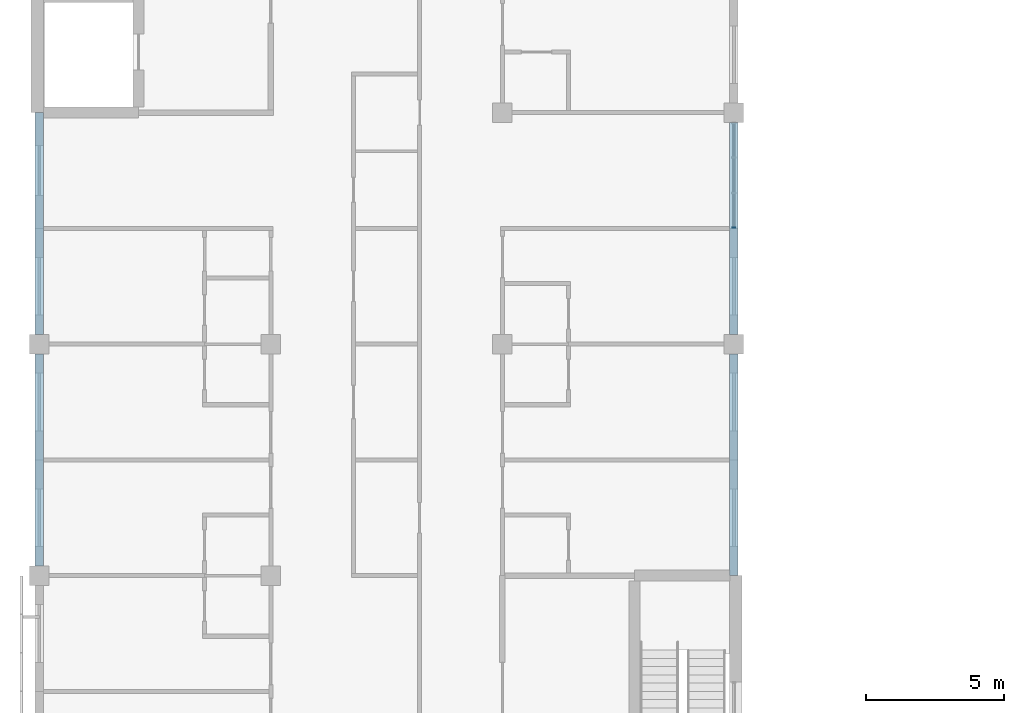
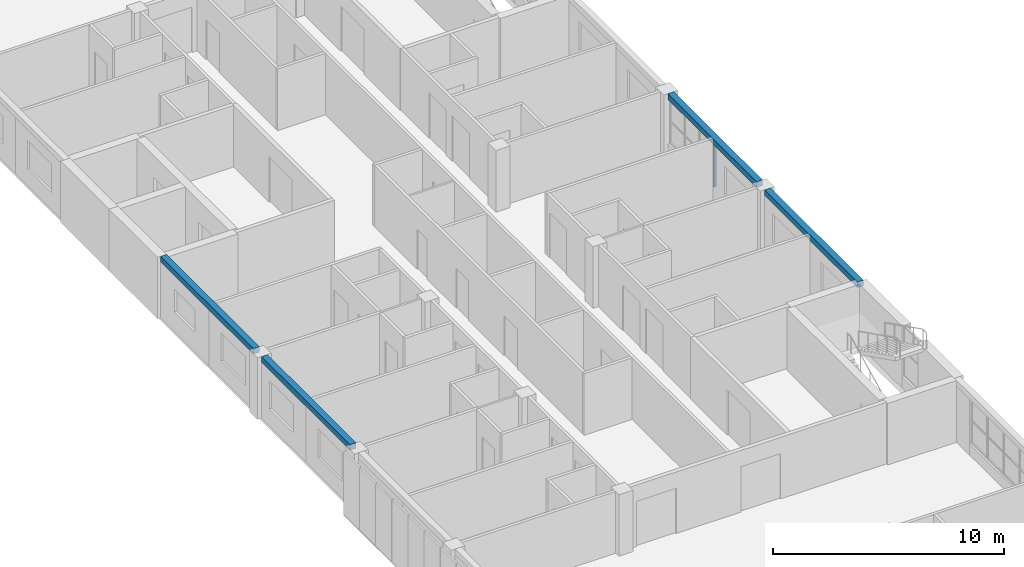
# One storey, part 7 of 45: 4 beams, 1 member, 1 element without a shape of its own.
"""IFC4 building model written with IfcOpenShell, lengths in metres."""

from ifc_helpers import new_model, si_unit, direction, frame, origin, origin_2d, place, context, subcontext, project, spatial, rectangle, extrude, material, material_profile, profile_set, type_object, element, aggregate, save


model = new_model("IFC4")

# Units and contexts
model_context = context("Model", 3, precision=1e-05, world=origin(), true_north=direction((0.0, 1.0)))
body_context = subcontext(model_context, "Body", "Model", "MODEL_VIEW")
ifc_project = project(units=[si_unit("LENGTHUNIT", "METRE"), si_unit("AREAUNIT", "SQUARE_METRE"), si_unit("VOLUMEUNIT", "CUBIC_METRE"), si_unit("PLANEANGLEUNIT", "RADIAN"), si_unit("MASSUNIT", "GRAM", prefix="KILO")], contexts=[model_context])

# Site, building, storey
site_placement = place(None, origin())
site = spatial("IfcSite", under=ifc_project, at=site_placement, CompositionType="ELEMENT")
building_placement = place(site_placement, origin())
building = spatial("IfcBuilding", under=site, at=building_placement, Name="Yavir Park General Hospital", CompositionType="ELEMENT")
storey_placement = place(building_placement, frame((0.0, 0.0, 22.5)))
storey = spatial("IfcBuildingStorey", under=building, at=storey_placement, Name="L05", CompositionType="ELEMENT", Elevation=22.5)

# Curtain wall, member
ifc_material_1 = material(Name="Aluminium curtain wall frame with insulated glazing", Category="aluminium")
curtain_wall_type = type_object("IfcCurtainWallType", Name="Day room pocket glazing, ward floors, 2360 high, 1400 module", PredefinedType="NOTDEFINED", material=ifc_material_1)
curtain_wall_placement = place(storey_placement, origin())
curtain_wall = element("IfcCurtainWall", 1, at=curtain_wall_placement, inside=storey, type_object=curtain_wall_type, Name="CW6 L05-022", PredefinedType="NOTDEFINED")
ifc_material_2 = material(Name="Aluminium", Category="aluminium")
ifc_material_profile_1 = material_profile(ifc_material_2, rectangle(XDim=0.139892578125, YDim=0.06005859375, at=origin_2d()), Name="AL 60x140")
ifc_profile_set_1 = profile_set([ifc_material_profile_1], Name="Aluminium")
member_type = type_object("IfcMemberType", Name="Day room pocket glazing, ward floors, 2360 high mullion 60 x 140", PredefinedType="MULLION", material=ifc_profile_set_1)
member_placement = place(storey_placement, frame((25.199951171875, 63.030029296875, 0.60009765625), z_axis=(0.0, 0.0, 1.0), x_axis=(-1.0, 0.0, 0.0)))
member = element("IfcMember", 2, at=member_placement, type_object=member_type, Name="CW6 mullion 1", PredefinedType="MULLION", context=body_context, shape_type="SweptSolid", body=[
    extrude(rectangle(XDim=0.139892578125, YDim=0.06005859375, at=origin_2d()), origin(), (0.0, 0.0, 1.0), 2.35986328125),
])
aggregate(curtain_wall, [member])

# Beams
ifc_material_3 = material(Name="Concrete C35/45", Category="concrete")
ifc_material_profile_2 = material_profile(ifc_material_3, rectangle(XDim=0.300048828125, YDim=0.300048828125, at=origin_2d()), Name="RC300x300")
ifc_profile_set_2 = profile_set([ifc_material_profile_2], Name="Concrete C35/45")
beam_type = type_object("IfcBeamType", Name="RC BEAM 300x300 edge beam", PredefinedType="BEAM", material=ifc_profile_set_2)
beam_1_placement = place(storey_placement, frame((0.0, 50.75, 3.110107421875), z_axis=(0.0, 1.0, 0.0), x_axis=(-1.0, 0.0, 0.0)))
element("IfcBeam", 3, at=beam_1_placement, inside=storey, type_object=beam_type, Name="B:EDGE:L05:021", PredefinedType="BEAM", context=body_context, shape_type="SweptSolid", body=[
    extrude(rectangle(XDim=0.300048828125, YDim=0.300048828125, at=origin_2d()), origin(), (0.0, 0.0, 1.0), 7.699951171875),
])
for number, where, z_axis, x_axis, name in (
    (4, (0.0, 59.14990234375, 3.110107421875), (0.0, 1.0, 0.0), (-1.0, 0.0, 0.0), "B:EDGE:L05:022"),
    (5, (25.199951171875, 50.39990234375, 3.110107421875), (0.0, 1.0, 0.0), (-1.0, 0.0, 0.0), "B:EDGE:L05:029"),
):
    element("IfcBeam", number, at=place(storey_placement, frame(where, z_axis=z_axis, x_axis=x_axis)), inside=storey, type_object=beam_type, Name=name, PredefinedType="BEAM", context=body_context, shape_type="SweptSolid", body=[
        extrude(rectangle(XDim=0.300048828125, YDim=0.300048828125, at=origin_2d()), origin(), (0.0, 0.0, 1.0), 8.050048828125),
    ])
beam_2_placement = place(storey_placement, frame((25.199951171875, 59.14990234375, 3.110107421875), z_axis=(0.0, 1.0, 0.0), x_axis=(-1.0, 0.0, 0.0)))
element("IfcBeam", 6, at=beam_2_placement, inside=storey, type_object=beam_type, Name="B:EDGE:L05:030", PredefinedType="BEAM", context=body_context, shape_type="SweptSolid", body=[
    extrude(rectangle(XDim=0.300048828125, YDim=0.300048828125, at=origin_2d()), origin(), (0.0, 0.0, 1.0), 7.7001953125),
])

save(model, "model.ifc")
